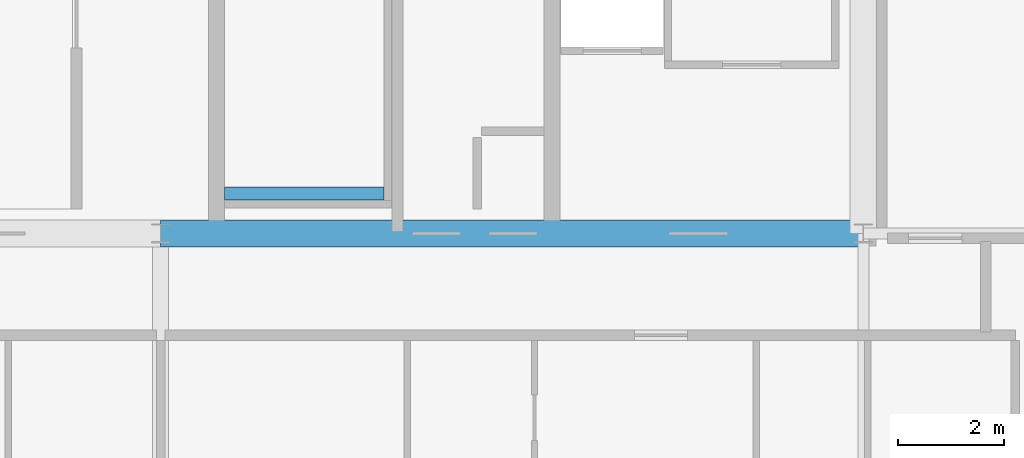
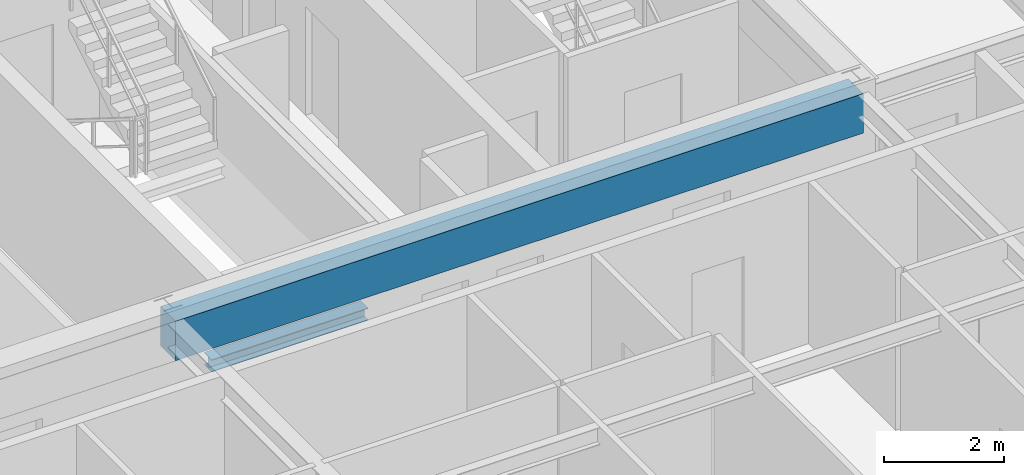
# One storey, part 10 of 34: 2 beams.
"""IFC4 building model written with IfcOpenShell, lengths in metres."""

from ifc_helpers import new_model, si_unit, direction, frame, origin, origin_2d, place, context, subcontext, project, spatial, rectangle, i_section, extrude, source, transform, mapped, material, material_profile, profile_set, type_object, element, save


model = new_model("IFC4")

# Units and contexts
model_context = context("Model", 3, precision=1e-05, world=origin(), true_north=direction((0.0, 1.0)))
body_context = subcontext(model_context, "Body", "Model", "MODEL_VIEW")
ifc_project = project(units=[si_unit("LENGTHUNIT", "METRE"), si_unit("AREAUNIT", "SQUARE_METRE"), si_unit("VOLUMEUNIT", "CUBIC_METRE"), si_unit("PLANEANGLEUNIT", "RADIAN"), si_unit("MASSUNIT", "GRAM", prefix="KILO"), si_unit("THERMODYNAMICTEMPERATUREUNIT", "KELVIN"), si_unit("POWERUNIT", "WATT")], contexts=[model_context])

# Site, building, storey
site_placement = place(None, origin())
site = spatial("IfcSite", under=ifc_project, at=site_placement, CompositionType="ELEMENT")
building_placement = place(site_placement, origin())
building = spatial("IfcBuilding", under=site, at=building_placement, Name="Yuzanri Waterfront Tower", CompositionType="ELEMENT")
storey_placement = place(building_placement, frame((0.0, 0.0, 325.199951171875)))
storey = spatial("IfcBuildingStorey", under=building, at=storey_placement, Name="L87", CompositionType="ELEMENT", Elevation=325.199951171875)

# Beams
ifc_material_1 = material(Name="Concrete C50", Category="concrete")
ifc_material_profile_1 = material_profile(ifc_material_1, rectangle(XDim=0.5, YDim=0.800048828125, at=origin_2d()), Name="RC 500x800")
ifc_profile_set_1 = profile_set([ifc_material_profile_1], Name="Concrete C50")
beam_type_1 = type_object("IfcBeamType", Name="Core Coupling Lintel Concrete C50 500x800", PredefinedType="LINTEL", material=ifc_profile_set_1)
shared_shape_1 = source(origin(), body_context, "Body", "SweptSolid", [
    extrude(rectangle(XDim=0.5, YDim=0.800048828125, at=origin_2d()), origin(), (0.0, 0.0, 1.0), 13.199951171875),
])
beam_1_placement = place(storey_placement, frame((37.0, 19.39990234375, 2.880126953125), z_axis=(1.0, 0.0, 0.0), x_axis=(0.0, 1.0, 0.0)))
element("IfcBeam", 1, at=beam_1_placement, inside=storey, type_object=beam_type_1, Name="L87 Core Tie Beam CS2", PredefinedType="LINTEL", context=body_context, shape_type="MappedRepresentation", body=[
    mapped(shared_shape_1, transform((0.0, 0.0, 0.0), scale=1.0)),
])
ifc_material_2 = material(Name="Steel Q355B", Category="steel")
ifc_material_profile_2 = material_profile(ifc_material_2, i_section(OverallWidth=0.25, OverallDepth=0.25, WebThickness=0.009033203125, FlangeThickness=0.013916015625, at=origin_2d()), Name="HW 250x250x9x14")
ifc_profile_set_2 = profile_set([ifc_material_profile_2], Name="Steel Q355B")
beam_type_2 = type_object("IfcBeamType", Name="Stair Landing Support Beam Q355B HW 250x250", PredefinedType="BEAM", material=ifc_profile_set_2)
shared_shape_2 = source(origin(), body_context, "Body", "SweptSolid", [
    extrude(i_section(OverallWidth=0.25, OverallDepth=0.25, WebThickness=0.009033203125, FlangeThickness=0.013916015625, at=origin_2d()), origin(), (0.0, 0.0, 1.0), 3.0),
])
beam_2_placement = place(storey_placement, frame((38.199951171875, 20.14990234375, 1.425048828125), z_axis=(1.0, 0.0, 0.0), x_axis=(0.0, 1.0, 0.0)))
element("IfcBeam", 2, at=beam_2_placement, inside=storey, type_object=beam_type_2, Name="L87 Stair Landing Support Beam ST-03-L87-L1-1", PredefinedType="BEAM", context=body_context, shape_type="MappedRepresentation", body=[
    mapped(shared_shape_2, transform((0.0, 0.0, 0.0), scale=1.0)),
])

save(model, "model.ifc")
